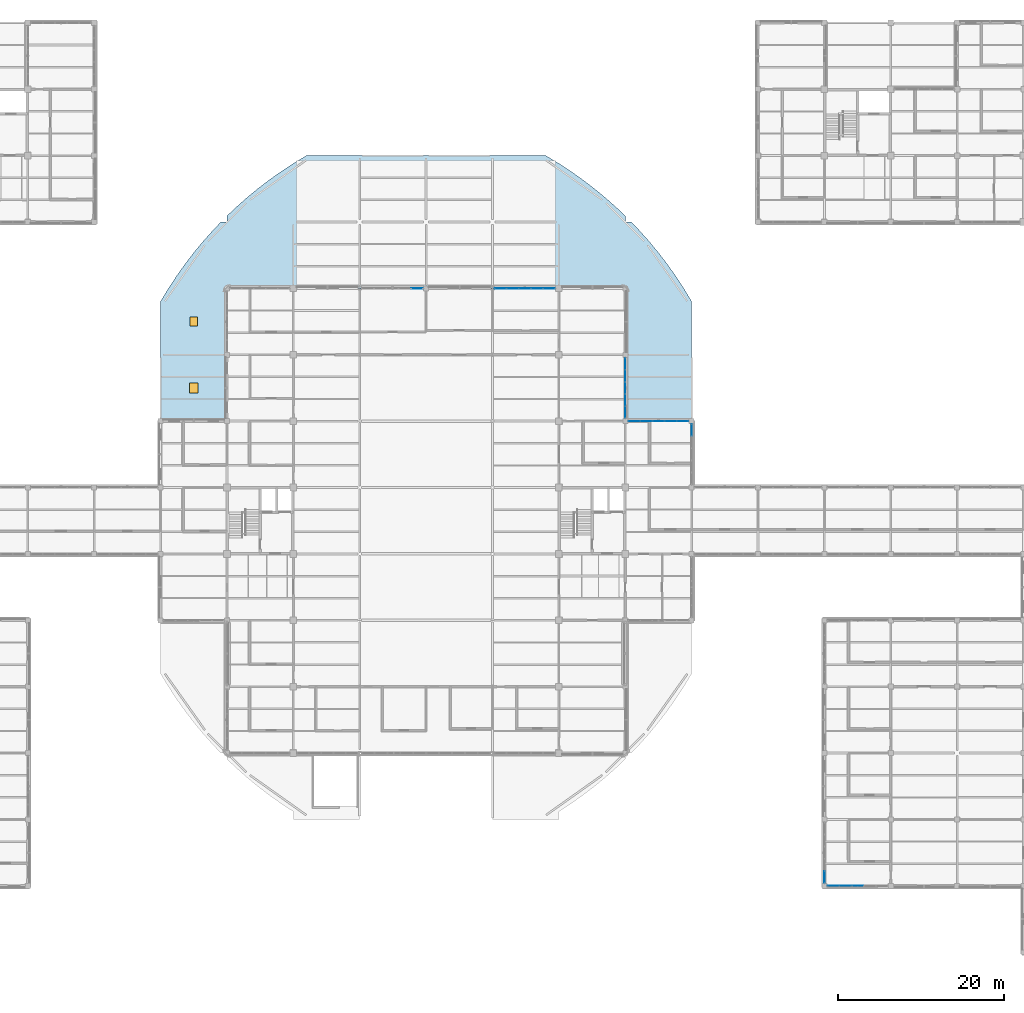
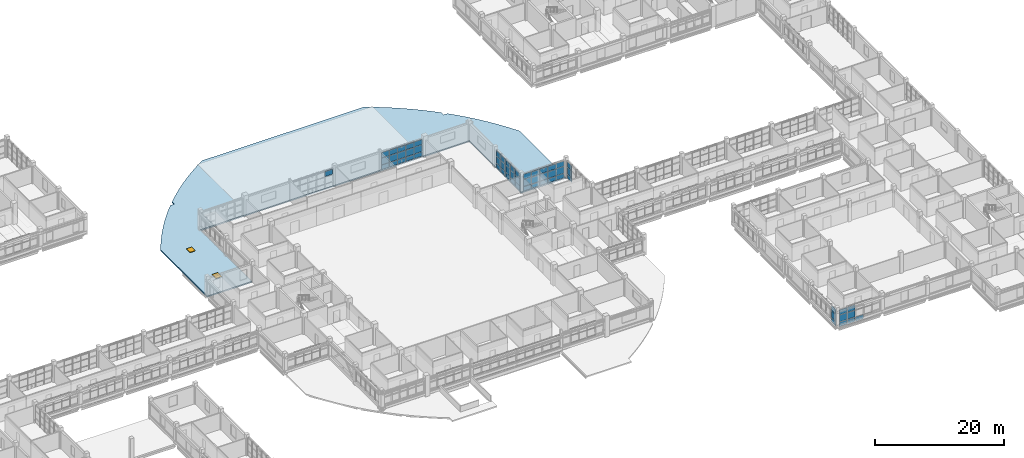
# One storey, part 76 of 126: 59 plates, 2 doors, 1 slab, 2 openings, 7 elements without a shape of their own.
"""IFC4 building model written with IfcOpenShell, lengths in metres."""

from ifc_helpers import new_model, si_unit, derived_unit, direction, frame, origin, origin_2d, place, context, subcontext, project, spatial, polyline, rectangle, outline, extrude, material, layer, layer_set, type_object, element, fill, aggregate, save


model = new_model("IFC4")

# Units and contexts
model_context = context("Model", 3, precision=1e-05, world=origin(), true_north=direction((0.0, 1.0)))
body_context = subcontext(model_context, "Body", "Model", "MODEL_VIEW")
ifc_project = project(units=[si_unit("LENGTHUNIT", "METRE"), si_unit("AREAUNIT", "SQUARE_METRE"), si_unit("VOLUMEUNIT", "CUBIC_METRE"), si_unit("PLANEANGLEUNIT", "RADIAN"), si_unit("MASSUNIT", "GRAM", prefix="KILO"), derived_unit("THERMALTRANSMITTANCEUNIT", [(si_unit("MASSUNIT", "GRAM", prefix="KILO"), 1), (si_unit("TIMEUNIT", "SECOND"), -3), (si_unit("THERMODYNAMICTEMPERATUREUNIT", "KELVIN"), -1)])], contexts=[model_context])

# Site, building, storey
site_placement = place(None, origin())
site = spatial("IfcSite", under=ifc_project, at=site_placement, CompositionType="ELEMENT")
building_placement = place(site_placement, origin())
building = spatial("IfcBuilding", under=site, at=building_placement, Name="Veyamyaing Civic Hall", CompositionType="ELEMENT")
storey_placement = place(building_placement, frame((0.0, 0.0, 9.89990234375)))
storey = spatial("IfcBuildingStorey", under=building, at=storey_placement, Name="L02", CompositionType="ELEMENT", Elevation=9.89990234375)

# Curtain wall, plates
ifc_material_1 = material(Name="Anodised aluminium 6063-T6", Category="aluminium")
ifc_layer_1 = layer(ifc_material_1, 0.159912109375, Name="Anodised aluminium 6063-T6")
ifc_layer_set_1 = layer_set([ifc_layer_1], Name="Anodised aluminium 6063-T6")
curtain_wall_type = type_object("IfcCurtainWallType", Name="CW-03", PredefinedType="NOTDEFINED", material=ifc_layer_set_1)
curtain_wall_1_placement = place(storey_placement, origin())
curtain_wall_1 = element("IfcCurtainWall", 1, at=curtain_wall_1_placement, inside=storey, type_object=curtain_wall_type, Name="Unitized curtain wall CW-03 L02 N 13.10", PredefinedType="NOTDEFINED")
ifc_material_2 = material(Name="Low-E insulated glass", Category="glass")
ifc_layer_2 = layer(ifc_material_2, 0.028076171875, Name="Low-E insulated glass")
ifc_layer_set_2 = layer_set([ifc_layer_2], Name="Low-E insulated glass")
plate_type_1 = type_object("IfcPlateType", Name="CWP-01", PredefinedType="CURTAIN_PANEL", material=ifc_layer_set_2)
plate_1_placement = place(storey_placement, frame((96.96728515625, 80.0, 0.06494140625), z_axis=(0.0, 0.0, 1.0), x_axis=(1.0, 0.0, 0.0)))
plate_1 = element("IfcPlate", 2, at=plate_1_placement, type_object=plate_type_1, Name="CW-03 panel 1.1", PredefinedType="CURTAIN_PANEL", context=body_context, shape_type="SweptSolid", body=[
    extrude(rectangle(XDim=1.373291015625, YDim=0.028076171875, at=origin_2d()), origin(), (0.0, 0.0, 1.0), 0.802490234375),
])
plate_2_placement = place(storey_placement, frame((96.96728515625, 80.0, 0.9326171875), z_axis=(0.0, 0.0, 1.0), x_axis=(1.0, 0.0, 0.0)))
plate_2 = element("IfcPlate", 3, at=plate_2_placement, type_object=plate_type_1, Name="CW-03 panel 1.2", PredefinedType="CURTAIN_PANEL", context=body_context, shape_type="SweptSolid", body=[
    extrude(rectangle(XDim=1.373291015625, YDim=0.028076171875, at=origin_2d()), origin(), (0.0, 0.0, 1.0), 1.265380859375),
])
plate_3_placement = place(storey_placement, frame((96.96728515625, 80.0, 2.262939453125), z_axis=(0.0, 0.0, 1.0), x_axis=(1.0, 0.0, 0.0)))
plate_3 = element("IfcPlate", 4, at=plate_3_placement, type_object=plate_type_1, Name="CW-03 panel 1.3", PredefinedType="CURTAIN_PANEL", context=body_context, shape_type="SweptSolid", body=[
    extrude(rectangle(XDim=1.373291015625, YDim=0.028076171875, at=origin_2d()), origin(), (0.0, 0.0, 1.0), 0.9521484375),
])
plate_4_placement = place(storey_placement, frame((98.421875, 80.0, 0.06494140625), z_axis=(0.0, 0.0, 1.0), x_axis=(1.0, 0.0, 0.0)))
plate_4 = element("IfcPlate", 5, at=plate_4_placement, type_object=plate_type_1, Name="CW-03 panel 2.1", PredefinedType="CURTAIN_PANEL", context=body_context, shape_type="SweptSolid", body=[
    extrude(rectangle(XDim=1.406005859375, YDim=0.028076171875, at=origin_2d()), origin(), (0.0, 0.0, 1.0), 0.802490234375),
])
plate_5_placement = place(storey_placement, frame((98.421875, 80.0, 0.9326171875), z_axis=(0.0, 0.0, 1.0), x_axis=(1.0, 0.0, 0.0)))
plate_5 = element("IfcPlate", 6, at=plate_5_placement, type_object=plate_type_1, Name="CW-03 panel 2.2", PredefinedType="CURTAIN_PANEL", context=body_context, shape_type="SweptSolid", body=[
    extrude(rectangle(XDim=1.406005859375, YDim=0.028076171875, at=origin_2d()), origin(), (0.0, 0.0, 1.0), 1.265380859375),
])
plate_6_placement = place(storey_placement, frame((98.421875, 80.0, 2.262939453125), z_axis=(0.0, 0.0, 1.0), x_axis=(1.0, 0.0, 0.0)))
plate_6 = element("IfcPlate", 7, at=plate_6_placement, type_object=plate_type_1, Name="CW-03 panel 2.3", PredefinedType="CURTAIN_PANEL", context=body_context, shape_type="SweptSolid", body=[
    extrude(rectangle(XDim=1.406005859375, YDim=0.028076171875, at=origin_2d()), origin(), (0.0, 0.0, 1.0), 0.9521484375),
])
plate_7_placement = place(storey_placement, frame((99.892822265625, 80.0, 0.06494140625), z_axis=(0.0, 0.0, 1.0), x_axis=(1.0, 0.0, 0.0)))
plate_7 = element("IfcPlate", 8, at=plate_7_placement, type_object=plate_type_1, Name="CW-03 panel 3.1", PredefinedType="CURTAIN_PANEL", context=body_context, shape_type="SweptSolid", body=[
    extrude(rectangle(XDim=1.406005859375, YDim=0.028076171875, at=origin_2d()), origin(), (0.0, 0.0, 1.0), 0.802490234375),
])
plate_8_placement = place(storey_placement, frame((99.892822265625, 80.0, 0.9326171875), z_axis=(0.0, 0.0, 1.0), x_axis=(1.0, 0.0, 0.0)))
plate_8 = element("IfcPlate", 9, at=plate_8_placement, type_object=plate_type_1, Name="CW-03 panel 3.2", PredefinedType="CURTAIN_PANEL", context=body_context, shape_type="SweptSolid", body=[
    extrude(rectangle(XDim=1.406005859375, YDim=0.028076171875, at=origin_2d()), origin(), (0.0, 0.0, 1.0), 1.265380859375),
])
plate_9_placement = place(storey_placement, frame((99.892822265625, 80.0, 2.262939453125), z_axis=(0.0, 0.0, 1.0), x_axis=(1.0, 0.0, 0.0)))
plate_9 = element("IfcPlate", 10, at=plate_9_placement, type_object=plate_type_1, Name="CW-03 panel 3.3", PredefinedType="CURTAIN_PANEL", context=body_context, shape_type="SweptSolid", body=[
    extrude(rectangle(XDim=1.406005859375, YDim=0.028076171875, at=origin_2d()), origin(), (0.0, 0.0, 1.0), 0.9521484375),
])
plate_10_placement = place(storey_placement, frame((101.36376953125, 80.0, 0.06494140625), z_axis=(0.0, 0.0, 1.0), x_axis=(1.0, 0.0, 0.0)))
plate_10 = element("IfcPlate", 11, at=plate_10_placement, type_object=plate_type_1, Name="CW-03 panel 4.1", PredefinedType="CURTAIN_PANEL", context=body_context, shape_type="SweptSolid", body=[
    extrude(rectangle(XDim=1.406005859375, YDim=0.028076171875, at=origin_2d()), origin(), (0.0, 0.0, 1.0), 0.802490234375),
])
plate_11_placement = place(storey_placement, frame((101.36376953125, 80.0, 0.9326171875), z_axis=(0.0, 0.0, 1.0), x_axis=(1.0, 0.0, 0.0)))
plate_11 = element("IfcPlate", 12, at=plate_11_placement, type_object=plate_type_1, Name="CW-03 panel 4.2", PredefinedType="CURTAIN_PANEL", context=body_context, shape_type="SweptSolid", body=[
    extrude(rectangle(XDim=1.406005859375, YDim=0.028076171875, at=origin_2d()), origin(), (0.0, 0.0, 1.0), 1.265380859375),
])
plate_12_placement = place(storey_placement, frame((101.36376953125, 80.0, 2.262939453125), z_axis=(0.0, 0.0, 1.0), x_axis=(1.0, 0.0, 0.0)))
plate_12 = element("IfcPlate", 13, at=plate_12_placement, type_object=plate_type_1, Name="CW-03 panel 4.3", PredefinedType="CURTAIN_PANEL", context=body_context, shape_type="SweptSolid", body=[
    extrude(rectangle(XDim=1.406005859375, YDim=0.028076171875, at=origin_2d()), origin(), (0.0, 0.0, 1.0), 0.9521484375),
])
plate_13_placement = place(storey_placement, frame((102.818359375, 80.0, 0.06494140625), z_axis=(0.0, 0.0, 1.0), x_axis=(1.0, 0.0, 0.0)))
plate_13 = element("IfcPlate", 14, at=plate_13_placement, type_object=plate_type_1, Name="CW-03 panel 5.1", PredefinedType="CURTAIN_PANEL", context=body_context, shape_type="SweptSolid", body=[
    extrude(rectangle(XDim=1.373291015625, YDim=0.028076171875, at=origin_2d()), origin(), (0.0, 0.0, 1.0), 0.802490234375),
])
plate_14_placement = place(storey_placement, frame((102.818359375, 80.0, 0.9326171875), z_axis=(0.0, 0.0, 1.0), x_axis=(1.0, 0.0, 0.0)))
plate_14 = element("IfcPlate", 15, at=plate_14_placement, type_object=plate_type_1, Name="CW-03 panel 5.2", PredefinedType="CURTAIN_PANEL", context=body_context, shape_type="SweptSolid", body=[
    extrude(rectangle(XDim=1.373291015625, YDim=0.028076171875, at=origin_2d()), origin(), (0.0, 0.0, 1.0), 1.265380859375),
])
plate_15_placement = place(storey_placement, frame((102.818359375, 80.0, 2.262939453125), z_axis=(0.0, 0.0, 1.0), x_axis=(1.0, 0.0, 0.0)))
plate_15 = element("IfcPlate", 16, at=plate_15_placement, type_object=plate_type_1, Name="CW-03 panel 5.3", PredefinedType="CURTAIN_PANEL", context=body_context, shape_type="SweptSolid", body=[
    extrude(rectangle(XDim=1.373291015625, YDim=0.028076171875, at=origin_2d()), origin(), (0.0, 0.0, 1.0), 0.9521484375),
])
aggregate(curtain_wall_1, [plate_1, plate_2, plate_3, plate_4, plate_5, plate_6, plate_7, plate_8, plate_9, plate_10, plate_11, plate_12, plate_13, plate_14, plate_15])

curtain_wall_2_placement = place(storey_placement, origin())
curtain_wall_2 = element("IfcCurtainWall", 17, at=curtain_wall_2_placement, inside=storey, type_object=curtain_wall_type, Name="Unitized curtain wall CW-03 L02 E 14.9", PredefinedType="NOTDEFINED")
plate_16_placement = place(storey_placement, frame((112.0, 65.080322265625, 0.06494140625), z_axis=(0.0, 0.0, 1.0), x_axis=(0.0, 1.0, 0.0)))
plate_16 = element("IfcPlate", 18, at=plate_16_placement, type_object=plate_type_1, Name="CW-03 panel 1.1", PredefinedType="CURTAIN_PANEL", context=body_context, shape_type="SweptSolid", body=[
    extrude(rectangle(XDim=1.37060546875, YDim=0.028076171875, at=origin_2d()), origin(), (0.0, 0.0, 1.0), 0.802490234375),
])
plate_17_placement = place(storey_placement, frame((112.0, 65.080322265625, 0.9326171875), z_axis=(0.0, 0.0, 1.0), x_axis=(0.0, 1.0, 0.0)))
plate_17 = element("IfcPlate", 19, at=plate_17_placement, type_object=plate_type_1, Name="CW-03 panel 1.2", PredefinedType="CURTAIN_PANEL", context=body_context, shape_type="SweptSolid", body=[
    extrude(rectangle(XDim=1.37060546875, YDim=0.028076171875, at=origin_2d()), origin(), (0.0, 0.0, 1.0), 1.265380859375),
])
plate_18_placement = place(storey_placement, frame((112.0, 65.080322265625, 2.262939453125), z_axis=(0.0, 0.0, 1.0), x_axis=(0.0, 1.0, 0.0)))
plate_18 = element("IfcPlate", 20, at=plate_18_placement, type_object=plate_type_1, Name="CW-03 panel 1.3", PredefinedType="CURTAIN_PANEL", context=body_context, shape_type="SweptSolid", body=[
    extrude(rectangle(XDim=1.37060546875, YDim=0.028076171875, at=origin_2d()), origin(), (0.0, 0.0, 1.0), 0.9521484375),
])
plate_19_placement = place(storey_placement, frame((112.0, 66.531982421875, 0.06494140625), z_axis=(0.0, 0.0, 1.0), x_axis=(0.0, 1.0, 0.0)))
plate_19 = element("IfcPlate", 21, at=plate_19_placement, type_object=plate_type_1, Name="CW-03 panel 2.1", PredefinedType="CURTAIN_PANEL", context=body_context, shape_type="SweptSolid", body=[
    extrude(rectangle(XDim=1.403076171875, YDim=0.028076171875, at=origin_2d()), origin(), (0.0, 0.0, 1.0), 0.802490234375),
])
plate_20_placement = place(storey_placement, frame((112.0, 66.531982421875, 0.9326171875), z_axis=(0.0, 0.0, 1.0), x_axis=(0.0, 1.0, 0.0)))
plate_20 = element("IfcPlate", 22, at=plate_20_placement, type_object=plate_type_1, Name="CW-03 panel 2.2", PredefinedType="CURTAIN_PANEL", context=body_context, shape_type="SweptSolid", body=[
    extrude(rectangle(XDim=1.403076171875, YDim=0.028076171875, at=origin_2d()), origin(), (0.0, 0.0, 1.0), 1.265380859375),
])
plate_21_placement = place(storey_placement, frame((112.0, 66.531982421875, 2.262939453125), z_axis=(0.0, 0.0, 1.0), x_axis=(0.0, 1.0, 0.0)))
plate_21 = element("IfcPlate", 23, at=plate_21_placement, type_object=plate_type_1, Name="CW-03 panel 2.3", PredefinedType="CURTAIN_PANEL", context=body_context, shape_type="SweptSolid", body=[
    extrude(rectangle(XDim=1.403076171875, YDim=0.028076171875, at=origin_2d()), origin(), (0.0, 0.0, 1.0), 0.9521484375),
])
plate_22_placement = place(storey_placement, frame((112.0, 68.0, 0.06494140625), z_axis=(0.0, 0.0, 1.0), x_axis=(0.0, 1.0, 0.0)))
plate_22 = element("IfcPlate", 24, at=plate_22_placement, type_object=plate_type_1, Name="CW-03 panel 3.1", PredefinedType="CURTAIN_PANEL", context=body_context, shape_type="SweptSolid", body=[
    extrude(rectangle(XDim=1.403076171875, YDim=0.028076171875, at=origin_2d()), origin(), (0.0, 0.0, 1.0), 0.802490234375),
])
plate_23_placement = place(storey_placement, frame((112.0, 68.0, 0.9326171875), z_axis=(0.0, 0.0, 1.0), x_axis=(0.0, 1.0, 0.0)))
plate_23 = element("IfcPlate", 25, at=plate_23_placement, type_object=plate_type_1, Name="CW-03 panel 3.2", PredefinedType="CURTAIN_PANEL", context=body_context, shape_type="SweptSolid", body=[
    extrude(rectangle(XDim=1.403076171875, YDim=0.028076171875, at=origin_2d()), origin(), (0.0, 0.0, 1.0), 1.265380859375),
])
plate_24_placement = place(storey_placement, frame((112.0, 68.0, 2.262939453125), z_axis=(0.0, 0.0, 1.0), x_axis=(0.0, 1.0, 0.0)))
plate_24 = element("IfcPlate", 26, at=plate_24_placement, type_object=plate_type_1, Name="CW-03 panel 3.3", PredefinedType="CURTAIN_PANEL", context=body_context, shape_type="SweptSolid", body=[
    extrude(rectangle(XDim=1.403076171875, YDim=0.028076171875, at=origin_2d()), origin(), (0.0, 0.0, 1.0), 0.9521484375),
])
plate_25_placement = place(storey_placement, frame((112.0, 69.468017578125, 0.06494140625), z_axis=(0.0, 0.0, 1.0), x_axis=(0.0, 1.0, 0.0)))
plate_25 = element("IfcPlate", 27, at=plate_25_placement, type_object=plate_type_1, Name="CW-03 panel 4.1", PredefinedType="CURTAIN_PANEL", context=body_context, shape_type="SweptSolid", body=[
    extrude(rectangle(XDim=1.403076171875, YDim=0.028076171875, at=origin_2d()), origin(), (0.0, 0.0, 1.0), 0.802490234375),
])
plate_26_placement = place(storey_placement, frame((112.0, 69.468017578125, 0.9326171875), z_axis=(0.0, 0.0, 1.0), x_axis=(0.0, 1.0, 0.0)))
plate_26 = element("IfcPlate", 28, at=plate_26_placement, type_object=plate_type_1, Name="CW-03 panel 4.2", PredefinedType="CURTAIN_PANEL", context=body_context, shape_type="SweptSolid", body=[
    extrude(rectangle(XDim=1.403076171875, YDim=0.028076171875, at=origin_2d()), origin(), (0.0, 0.0, 1.0), 1.265380859375),
])
plate_27_placement = place(storey_placement, frame((112.0, 69.468017578125, 2.262939453125), z_axis=(0.0, 0.0, 1.0), x_axis=(0.0, 1.0, 0.0)))
plate_27 = element("IfcPlate", 29, at=plate_27_placement, type_object=plate_type_1, Name="CW-03 panel 4.3", PredefinedType="CURTAIN_PANEL", context=body_context, shape_type="SweptSolid", body=[
    extrude(rectangle(XDim=1.403076171875, YDim=0.028076171875, at=origin_2d()), origin(), (0.0, 0.0, 1.0), 0.9521484375),
])
plate_28_placement = place(storey_placement, frame((112.0, 70.919677734375, 0.06494140625), z_axis=(0.0, 0.0, 1.0), x_axis=(0.0, 1.0, 0.0)))
plate_28 = element("IfcPlate", 30, at=plate_28_placement, type_object=plate_type_1, Name="CW-03 panel 5.1", PredefinedType="CURTAIN_PANEL", context=body_context, shape_type="SweptSolid", body=[
    extrude(rectangle(XDim=1.37060546875, YDim=0.028076171875, at=origin_2d()), origin(), (0.0, 0.0, 1.0), 0.802490234375),
])
plate_29_placement = place(storey_placement, frame((112.0, 70.919677734375, 0.9326171875), z_axis=(0.0, 0.0, 1.0), x_axis=(0.0, 1.0, 0.0)))
plate_29 = element("IfcPlate", 31, at=plate_29_placement, type_object=plate_type_1, Name="CW-03 panel 5.2", PredefinedType="CURTAIN_PANEL", context=body_context, shape_type="SweptSolid", body=[
    extrude(rectangle(XDim=1.37060546875, YDim=0.028076171875, at=origin_2d()), origin(), (0.0, 0.0, 1.0), 1.265380859375),
])
plate_30_placement = place(storey_placement, frame((112.0, 70.919677734375, 2.262939453125), z_axis=(0.0, 0.0, 1.0), x_axis=(0.0, 1.0, 0.0)))
plate_30 = element("IfcPlate", 32, at=plate_30_placement, type_object=plate_type_1, Name="CW-03 panel 5.3", PredefinedType="CURTAIN_PANEL", context=body_context, shape_type="SweptSolid", body=[
    extrude(rectangle(XDim=1.37060546875, YDim=0.028076171875, at=origin_2d()), origin(), (0.0, 0.0, 1.0), 0.9521484375),
])
aggregate(curtain_wall_2, [plate_16, plate_17, plate_18, plate_19, plate_20, plate_21, plate_22, plate_23, plate_24, plate_25, plate_26, plate_27, plate_28, plate_29, plate_30])

curtain_wall_3_placement = place(storey_placement, origin())
curtain_wall_3 = element("IfcCurtainWall", 33, at=curtain_wall_3_placement, inside=storey, type_object=curtain_wall_type, Name="Unitized curtain wall CW-03 L02 N 15.8", PredefinedType="NOTDEFINED")
plate_31_placement = place(storey_placement, frame((113.080322265625, 64.0, 0.06494140625), z_axis=(0.0, 0.0, 1.0), x_axis=(1.0, 0.0, 0.0)))
plate_31 = element("IfcPlate", 34, at=plate_31_placement, type_object=plate_type_1, Name="CW-03 panel 1.1", PredefinedType="CURTAIN_PANEL", context=body_context, shape_type="SweptSolid", body=[
    extrude(rectangle(XDim=1.37060546875, YDim=0.028076171875, at=origin_2d()), origin(), (0.0, 0.0, 1.0), 0.802490234375),
])
plate_32_placement = place(storey_placement, frame((113.080322265625, 64.0, 0.9326171875), z_axis=(0.0, 0.0, 1.0), x_axis=(1.0, 0.0, 0.0)))
plate_32 = element("IfcPlate", 35, at=plate_32_placement, type_object=plate_type_1, Name="CW-03 panel 1.2", PredefinedType="CURTAIN_PANEL", context=body_context, shape_type="SweptSolid", body=[
    extrude(rectangle(XDim=1.37060546875, YDim=0.028076171875, at=origin_2d()), origin(), (0.0, 0.0, 1.0), 1.265380859375),
])
plate_33_placement = place(storey_placement, frame((113.080322265625, 64.0, 2.262939453125), z_axis=(0.0, 0.0, 1.0), x_axis=(1.0, 0.0, 0.0)))
plate_33 = element("IfcPlate", 36, at=plate_33_placement, type_object=plate_type_1, Name="CW-03 panel 1.3", PredefinedType="CURTAIN_PANEL", context=body_context, shape_type="SweptSolid", body=[
    extrude(rectangle(XDim=1.37060546875, YDim=0.028076171875, at=origin_2d()), origin(), (0.0, 0.0, 1.0), 0.9521484375),
])
plate_34_placement = place(storey_placement, frame((114.531982421875, 64.0, 0.06494140625), z_axis=(0.0, 0.0, 1.0), x_axis=(1.0, 0.0, 0.0)))
plate_34 = element("IfcPlate", 37, at=plate_34_placement, type_object=plate_type_1, Name="CW-03 panel 2.1", PredefinedType="CURTAIN_PANEL", context=body_context, shape_type="SweptSolid", body=[
    extrude(rectangle(XDim=1.403076171875, YDim=0.028076171875, at=origin_2d()), origin(), (0.0, 0.0, 1.0), 0.802490234375),
])
plate_35_placement = place(storey_placement, frame((114.531982421875, 64.0, 0.9326171875), z_axis=(0.0, 0.0, 1.0), x_axis=(1.0, 0.0, 0.0)))
plate_35 = element("IfcPlate", 38, at=plate_35_placement, type_object=plate_type_1, Name="CW-03 panel 2.2", PredefinedType="CURTAIN_PANEL", context=body_context, shape_type="SweptSolid", body=[
    extrude(rectangle(XDim=1.403076171875, YDim=0.028076171875, at=origin_2d()), origin(), (0.0, 0.0, 1.0), 1.265380859375),
])
plate_36_placement = place(storey_placement, frame((114.531982421875, 64.0, 2.262939453125), z_axis=(0.0, 0.0, 1.0), x_axis=(1.0, 0.0, 0.0)))
plate_36 = element("IfcPlate", 39, at=plate_36_placement, type_object=plate_type_1, Name="CW-03 panel 2.3", PredefinedType="CURTAIN_PANEL", context=body_context, shape_type="SweptSolid", body=[
    extrude(rectangle(XDim=1.403076171875, YDim=0.028076171875, at=origin_2d()), origin(), (0.0, 0.0, 1.0), 0.9521484375),
])
plate_37_placement = place(storey_placement, frame((116.0, 64.0, 0.06494140625), z_axis=(0.0, 0.0, 1.0), x_axis=(1.0, 0.0, 0.0)))
plate_37 = element("IfcPlate", 40, at=plate_37_placement, type_object=plate_type_1, Name="CW-03 panel 3.1", PredefinedType="CURTAIN_PANEL", context=body_context, shape_type="SweptSolid", body=[
    extrude(rectangle(XDim=1.403076171875, YDim=0.028076171875, at=origin_2d()), origin(), (0.0, 0.0, 1.0), 0.802490234375),
])
plate_38_placement = place(storey_placement, frame((116.0, 64.0, 0.9326171875), z_axis=(0.0, 0.0, 1.0), x_axis=(1.0, 0.0, 0.0)))
plate_38 = element("IfcPlate", 41, at=plate_38_placement, type_object=plate_type_1, Name="CW-03 panel 3.2", PredefinedType="CURTAIN_PANEL", context=body_context, shape_type="SweptSolid", body=[
    extrude(rectangle(XDim=1.403076171875, YDim=0.028076171875, at=origin_2d()), origin(), (0.0, 0.0, 1.0), 1.265380859375),
])
plate_39_placement = place(storey_placement, frame((116.0, 64.0, 2.262939453125), z_axis=(0.0, 0.0, 1.0), x_axis=(1.0, 0.0, 0.0)))
plate_39 = element("IfcPlate", 42, at=plate_39_placement, type_object=plate_type_1, Name="CW-03 panel 3.3", PredefinedType="CURTAIN_PANEL", context=body_context, shape_type="SweptSolid", body=[
    extrude(rectangle(XDim=1.403076171875, YDim=0.028076171875, at=origin_2d()), origin(), (0.0, 0.0, 1.0), 0.9521484375),
])
plate_40_placement = place(storey_placement, frame((117.468017578125, 64.0, 0.06494140625), z_axis=(0.0, 0.0, 1.0), x_axis=(1.0, 0.0, 0.0)))
plate_40 = element("IfcPlate", 43, at=plate_40_placement, type_object=plate_type_1, Name="CW-03 panel 4.1", PredefinedType="CURTAIN_PANEL", context=body_context, shape_type="SweptSolid", body=[
    extrude(rectangle(XDim=1.403076171875, YDim=0.028076171875, at=origin_2d()), origin(), (0.0, 0.0, 1.0), 0.802490234375),
])
plate_41_placement = place(storey_placement, frame((117.468017578125, 64.0, 0.9326171875), z_axis=(0.0, 0.0, 1.0), x_axis=(1.0, 0.0, 0.0)))
plate_41 = element("IfcPlate", 44, at=plate_41_placement, type_object=plate_type_1, Name="CW-03 panel 4.2", PredefinedType="CURTAIN_PANEL", context=body_context, shape_type="SweptSolid", body=[
    extrude(rectangle(XDim=1.403076171875, YDim=0.028076171875, at=origin_2d()), origin(), (0.0, 0.0, 1.0), 1.265380859375),
])
plate_42_placement = place(storey_placement, frame((117.468017578125, 64.0, 2.262939453125), z_axis=(0.0, 0.0, 1.0), x_axis=(1.0, 0.0, 0.0)))
plate_42 = element("IfcPlate", 45, at=plate_42_placement, type_object=plate_type_1, Name="CW-03 panel 4.3", PredefinedType="CURTAIN_PANEL", context=body_context, shape_type="SweptSolid", body=[
    extrude(rectangle(XDim=1.403076171875, YDim=0.028076171875, at=origin_2d()), origin(), (0.0, 0.0, 1.0), 0.9521484375),
])
plate_43_placement = place(storey_placement, frame((118.919677734375, 64.0, 0.06494140625), z_axis=(0.0, 0.0, 1.0), x_axis=(1.0, 0.0, 0.0)))
plate_43 = element("IfcPlate", 46, at=plate_43_placement, type_object=plate_type_1, Name="CW-03 panel 5.1", PredefinedType="CURTAIN_PANEL", context=body_context, shape_type="SweptSolid", body=[
    extrude(rectangle(XDim=1.37060546875, YDim=0.028076171875, at=origin_2d()), origin(), (0.0, 0.0, 1.0), 0.802490234375),
])
plate_44_placement = place(storey_placement, frame((118.919677734375, 64.0, 0.9326171875), z_axis=(0.0, 0.0, 1.0), x_axis=(1.0, 0.0, 0.0)))
plate_44 = element("IfcPlate", 47, at=plate_44_placement, type_object=plate_type_1, Name="CW-03 panel 5.2", PredefinedType="CURTAIN_PANEL", context=body_context, shape_type="SweptSolid", body=[
    extrude(rectangle(XDim=1.37060546875, YDim=0.028076171875, at=origin_2d()), origin(), (0.0, 0.0, 1.0), 1.265380859375),
])
plate_45_placement = place(storey_placement, frame((118.919677734375, 64.0, 2.262939453125), z_axis=(0.0, 0.0, 1.0), x_axis=(1.0, 0.0, 0.0)))
plate_45 = element("IfcPlate", 48, at=plate_45_placement, type_object=plate_type_1, Name="CW-03 panel 5.3", PredefinedType="CURTAIN_PANEL", context=body_context, shape_type="SweptSolid", body=[
    extrude(rectangle(XDim=1.37060546875, YDim=0.028076171875, at=origin_2d()), origin(), (0.0, 0.0, 1.0), 0.9521484375),
])
aggregate(curtain_wall_3, [plate_31, plate_32, plate_33, plate_34, plate_35, plate_36, plate_37, plate_38, plate_39, plate_40, plate_41, plate_42, plate_43, plate_44, plate_45])

curtain_wall_4_placement = place(storey_placement, origin())
curtain_wall_4 = element("IfcCurtainWall", 49, at=curtain_wall_4_placement, inside=storey, type_object=curtain_wall_type, Name="Unitized curtain wall CW-03 L02 E 15.8", PredefinedType="NOTDEFINED")
plate_46_placement = place(storey_placement, frame((120.0, 62.919677734375, 0.06494140625), z_axis=(0.0, 0.0, 1.0), x_axis=(0.0, 1.0, 0.0)))
plate_46 = element("IfcPlate", 50, at=plate_46_placement, type_object=plate_type_1, Name="CW-03 panel 5.1", PredefinedType="CURTAIN_PANEL", context=body_context, shape_type="SweptSolid", body=[
    extrude(rectangle(XDim=1.37060546875, YDim=0.028076171875, at=origin_2d()), origin(), (0.0, 0.0, 1.0), 0.802490234375),
])
plate_47_placement = place(storey_placement, frame((120.0, 62.919677734375, 0.9326171875), z_axis=(0.0, 0.0, 1.0), x_axis=(0.0, 1.0, 0.0)))
plate_47 = element("IfcPlate", 51, at=plate_47_placement, type_object=plate_type_1, Name="CW-03 panel 5.2", PredefinedType="CURTAIN_PANEL", context=body_context, shape_type="SweptSolid", body=[
    extrude(rectangle(XDim=1.37060546875, YDim=0.028076171875, at=origin_2d()), origin(), (0.0, 0.0, 1.0), 1.265380859375),
])
plate_48_placement = place(storey_placement, frame((120.0, 62.919677734375, 2.262939453125), z_axis=(0.0, 0.0, 1.0), x_axis=(0.0, 1.0, 0.0)))
plate_48 = element("IfcPlate", 52, at=plate_48_placement, type_object=plate_type_1, Name="CW-03 panel 5.3", PredefinedType="CURTAIN_PANEL", context=body_context, shape_type="SweptSolid", body=[
    extrude(rectangle(XDim=1.37060546875, YDim=0.028076171875, at=origin_2d()), origin(), (0.0, 0.0, 1.0), 0.9521484375),
])
aggregate(curtain_wall_4, [plate_46, plate_47, plate_48])

curtain_wall_5_placement = place(storey_placement, origin())
curtain_wall_5 = element("IfcCurtainWall", 53, at=curtain_wall_5_placement, inside=storey, type_object=curtain_wall_type, Name="Unitized curtain wall CW-03 L02 S 18.2", PredefinedType="NOTDEFINED")
ifc_layer_3 = layer(ifc_material_2, 0.02392578125, Name="Low-E insulated glass")
ifc_layer_set_3 = layer_set([ifc_layer_3], Name="Low-E insulated glass")
plate_type_2 = type_object("IfcPlateType", Name="CWP-04", PredefinedType="CURTAIN_PANEL", material=ifc_layer_set_3)
plate_49_placement = place(storey_placement, frame((137.080322265625, 8.0, 0.06494140625), z_axis=(0.0, 0.0, 1.0), x_axis=(1.0, 0.0, 0.0)))
plate_49 = element("IfcPlate", 54, at=plate_49_placement, type_object=plate_type_2, Name="CW-03 panel 1.1", PredefinedType="CURTAIN_PANEL", context=body_context, shape_type="SweptSolid", body=[
    extrude(rectangle(XDim=1.37060546875, YDim=0.02392578125, at=origin_2d()), origin(), (0.0, 0.0, 1.0), 0.802490234375),
])
plate_50_placement = place(storey_placement, frame((137.080322265625, 8.0, 0.9326171875), z_axis=(0.0, 0.0, 1.0), x_axis=(1.0, 0.0, 0.0)))
plate_50 = element("IfcPlate", 55, at=plate_50_placement, type_object=plate_type_2, Name="CW-03 panel 1.2", PredefinedType="CURTAIN_PANEL", context=body_context, shape_type="SweptSolid", body=[
    extrude(rectangle(XDim=1.37060546875, YDim=0.02392578125, at=origin_2d()), origin(), (0.0, 0.0, 1.0), 1.265380859375),
])
plate_51_placement = place(storey_placement, frame((137.080322265625, 8.0, 2.262939453125), z_axis=(0.0, 0.0, 1.0), x_axis=(1.0, 0.0, 0.0)))
plate_51 = element("IfcPlate", 56, at=plate_51_placement, type_object=plate_type_2, Name="CW-03 panel 1.3", PredefinedType="CURTAIN_PANEL", context=body_context, shape_type="SweptSolid", body=[
    extrude(rectangle(XDim=1.37060546875, YDim=0.02392578125, at=origin_2d()), origin(), (0.0, 0.0, 1.0), 0.9521484375),
])
plate_52_placement = place(storey_placement, frame((138.531982421875, 8.0, 0.06494140625), z_axis=(0.0, 0.0, 1.0), x_axis=(1.0, 0.0, 0.0)))
plate_52 = element("IfcPlate", 57, at=plate_52_placement, type_object=plate_type_2, Name="CW-03 panel 2.1", PredefinedType="CURTAIN_PANEL", context=body_context, shape_type="SweptSolid", body=[
    extrude(rectangle(XDim=1.403076171875, YDim=0.02392578125, at=origin_2d()), origin(), (0.0, 0.0, 1.0), 0.802490234375),
])
plate_53_placement = place(storey_placement, frame((138.531982421875, 8.0, 0.9326171875), z_axis=(0.0, 0.0, 1.0), x_axis=(1.0, 0.0, 0.0)))
plate_53 = element("IfcPlate", 58, at=plate_53_placement, type_object=plate_type_2, Name="CW-03 panel 2.2", PredefinedType="CURTAIN_PANEL", context=body_context, shape_type="SweptSolid", body=[
    extrude(rectangle(XDim=1.403076171875, YDim=0.02392578125, at=origin_2d()), origin(), (0.0, 0.0, 1.0), 1.265380859375),
])
plate_54_placement = place(storey_placement, frame((138.531982421875, 8.0, 2.262939453125), z_axis=(0.0, 0.0, 1.0), x_axis=(1.0, 0.0, 0.0)))
plate_54 = element("IfcPlate", 59, at=plate_54_placement, type_object=plate_type_2, Name="CW-03 panel 2.3", PredefinedType="CURTAIN_PANEL", context=body_context, shape_type="SweptSolid", body=[
    extrude(rectangle(XDim=1.403076171875, YDim=0.02392578125, at=origin_2d()), origin(), (0.0, 0.0, 1.0), 0.9521484375),
])
plate_55_placement = place(storey_placement, frame((140.0, 8.0, 0.06494140625), z_axis=(0.0, 0.0, 1.0), x_axis=(1.0, 0.0, 0.0)))
plate_55 = element("IfcPlate", 60, at=plate_55_placement, type_object=plate_type_2, Name="CW-03 panel 3.1", PredefinedType="CURTAIN_PANEL", context=body_context, shape_type="SweptSolid", body=[
    extrude(rectangle(XDim=1.403076171875, YDim=0.02392578125, at=origin_2d()), origin(), (0.0, 0.0, 1.0), 0.802490234375),
])
aggregate(curtain_wall_5, [plate_49, plate_50, plate_51, plate_52, plate_53, plate_54, plate_55])

curtain_wall_6_placement = place(storey_placement, origin())
curtain_wall_6 = element("IfcCurtainWall", 61, at=curtain_wall_6_placement, inside=storey, type_object=curtain_wall_type, Name="Unitized curtain wall CW-03 L02 W 18.2", PredefinedType="NOTDEFINED")
plate_56_placement = place(storey_placement, frame((136.0, 9.080322265625, 0.06494140625), z_axis=(0.0, 0.0, 1.0), x_axis=(0.0, 1.0, 0.0)))
plate_56 = element("IfcPlate", 62, at=plate_56_placement, type_object=plate_type_2, Name="CW-03 panel 1.1", PredefinedType="CURTAIN_PANEL", context=body_context, shape_type="SweptSolid", body=[
    extrude(rectangle(XDim=1.37060546875, YDim=0.02392578125, at=origin_2d()), origin(), (0.0, 0.0, 1.0), 0.802490234375),
])
plate_57_placement = place(storey_placement, frame((136.0, 9.080322265625, 0.9326171875), z_axis=(0.0, 0.0, 1.0), x_axis=(0.0, 1.0, 0.0)))
plate_57 = element("IfcPlate", 63, at=plate_57_placement, type_object=plate_type_2, Name="CW-03 panel 1.2", PredefinedType="CURTAIN_PANEL", context=body_context, shape_type="SweptSolid", body=[
    extrude(rectangle(XDim=1.37060546875, YDim=0.02392578125, at=origin_2d()), origin(), (0.0, 0.0, 1.0), 1.265380859375),
])
plate_58_placement = place(storey_placement, frame((136.0, 9.080322265625, 2.262939453125), z_axis=(0.0, 0.0, 1.0), x_axis=(0.0, 1.0, 0.0)))
plate_58 = element("IfcPlate", 64, at=plate_58_placement, type_object=plate_type_2, Name="CW-03 panel 1.3", PredefinedType="CURTAIN_PANEL", context=body_context, shape_type="SweptSolid", body=[
    extrude(rectangle(XDim=1.37060546875, YDim=0.02392578125, at=origin_2d()), origin(), (0.0, 0.0, 1.0), 0.9521484375),
])
aggregate(curtain_wall_6, [plate_56, plate_57, plate_58])

# Curtain wall, plate
curtain_wall_7_placement = place(storey_placement, origin())
curtain_wall_7 = element("IfcCurtainWall", 65, at=curtain_wall_7_placement, inside=storey, type_object=curtain_wall_type, Name="Unitized curtain wall CW-03 L02 N 11.10", PredefinedType="NOTDEFINED")
ifc_layer_4 = layer(ifc_material_2, 0.0400390625, Name="Low-E insulated glass")
ifc_layer_set_4 = layer_set([ifc_layer_4], Name="Low-E insulated glass")
plate_type_3 = type_object("IfcPlateType", Name="CWP-05", PredefinedType="CURTAIN_PANEL", material=ifc_layer_set_4)
plate_59_placement = place(storey_placement, frame((86.908203125, 80.0, 2.265625), z_axis=(0.0, 0.0, 1.0), x_axis=(1.0, 0.0, 0.0)))
plate_59 = element("IfcPlate", 66, at=plate_59_placement, type_object=plate_type_3, Name="CW-03 panel 5.3", PredefinedType="CURTAIN_PANEL", context=body_context, shape_type="SweptSolid", body=[
    extrude(rectangle(XDim=1.393310546875, YDim=0.0400390625, at=origin_2d()), origin(), (0.0, 0.0, 1.0), 0.953369140625),
])
aggregate(curtain_wall_7, [plate_59])

# Slab, openings, doors
ifc_material_3 = material(Name="Concrete C40/50", Category="concrete")
ifc_layer_5 = layer(ifc_material_3, 0.239990234375, Name="Concrete C40/50")
ifc_layer_set_5 = layer_set([ifc_layer_5], Name="Concrete C40/50")
slab_type = type_object("IfcSlabType", Name="SL-15", PredefinedType="ROOF", material=ifc_layer_set_5)
slab_placement = place(storey_placement, frame((0.0, 0.0, -0.239990234375)))
slab = element("IfcSlab", 67, at=slab_placement, inside=storey, type_object=slab_type, Name="Roof slab SL-15 L02 V1N.1", PredefinedType="ROOF", context=body_context, shape_type="SweptSolid", body=[
    extrude(outline(polyline([(64.0, 88.0), (64.0, 88.730224609375), (64.9208984375, 89.6171875), (66.259521484375, 90.8134765625), (67.6416015625, 91.958740234375), (69.06591796875, 93.051513671875), (70.52978515625, 94.090087890625), (72.03173828125, 95.073486328125), (73.569091796875, 96.0), (102.430908203125, 96.0), (103.96826171875, 95.073486328125), (105.47021484375, 94.090087890625), (106.93408203125, 93.051513671875), (108.3583984375, 91.958740234375), (109.740478515625, 90.8134765625), (111.0791015625, 89.6171875), (112.0, 88.730224609375), (112.0, 88.0), (112.730224609375, 88.0), (113.6171875, 87.0791015625), (114.8134765625, 85.740478515625), (115.958740234375, 84.3583984375), (117.051513671875, 82.93408203125), (118.090087890625, 81.47021484375), (119.073486328125, 79.96826171875), (120.0, 78.430908203125), (120.0, 64.0), (112.0, 64.0), (112.0, 80.0), (64.0, 80.0), (64.0, 64.0), (56.0, 64.0), (56.0, 78.430908203125), (56.926513671875, 79.96826171875), (57.909912109375, 81.47021484375), (58.948486328125, 82.93408203125), (60.041259765625, 84.3583984375), (61.1865234375, 85.740478515625), (62.3828125, 87.0791015625), (63.269775390625, 88.0), (64.0, 88.0)])), origin(), (0.0, 0.0, 1.0), 0.239990234375),
])
opening_1_placement = place(slab_placement, frame((60.0, 68.0, 0.0)))
opening_1 = element("IfcOpeningElement", 68, at=opening_1_placement, cuts=slab, Name="Opening DH-01", PredefinedType="OPENING", context=body_context, shape_type="SweptSolid", body=[
    extrude(rectangle(XDim=1.0, YDim=1.199951171875, at=origin_2d()), frame((0.0, 0.0, -0.010009765625)), (0.0, 0.0, 1.0), 0.340087890625),
])
opening_2_placement = place(slab_placement, frame((60.0, 76.0, 0.0)))
opening_2 = element("IfcOpeningElement", 69, at=opening_2_placement, cuts=slab, Name="Opening DH-02", PredefinedType="OPENING", context=body_context, shape_type="SweptSolid", body=[
    extrude(rectangle(XDim=0.89990234375, YDim=1.10009765625, at=origin_2d()), frame((0.0, 0.0, -0.010009765625)), (0.0, 0.0, 1.0), 0.340087890625),
])
door_type_1 = type_object("IfcDoorType", Name="DH-01", OperationType="SINGLE_SWING_LEFT", PredefinedType="TRAPDOOR", material=ifc_material_1)
door_1_placement = place(opening_1_placement, frame((0.0, 0.0, 0.239990234375)))
door_1 = element("IfcDoor", 70, at=door_1_placement, inside=storey, type_object=door_type_1, Name="Roof maintenance access hatch DH-01 L02.5", OperationType="SINGLE_SWING_LEFT", OverallHeight=1.199951171875, OverallWidth=1.0, PredefinedType="TRAPDOOR", context=body_context, shape_type="SweptSolid", body=[
    extrude(rectangle(XDim=1.0, YDim=1.199951171875, at=origin_2d()), origin(), (0.0, 0.0, 1.0), 0.080078125),
])
fill(opening_1, door_1)
door_type_2 = type_object("IfcDoorType", Name="DH-02", OperationType="SINGLE_SWING_LEFT", PredefinedType="TRAPDOOR", material=ifc_material_1)
door_2_placement = place(opening_2_placement, frame((0.0, 0.0, 0.239990234375)))
door_2 = element("IfcDoor", 71, at=door_2_placement, inside=storey, type_object=door_type_2, Name="Roof maintenance access hatch DH-02 L02.6", OperationType="SINGLE_SWING_LEFT", OverallHeight=1.10009765625, OverallWidth=0.89990234375, PredefinedType="TRAPDOOR", context=body_context, shape_type="SweptSolid", body=[
    extrude(rectangle(XDim=0.89990234375, YDim=1.10009765625, at=origin_2d()), origin(), (0.0, 0.0, 1.0), 0.080078125),
])
fill(opening_2, door_2)

save(model, "model.ifc")
